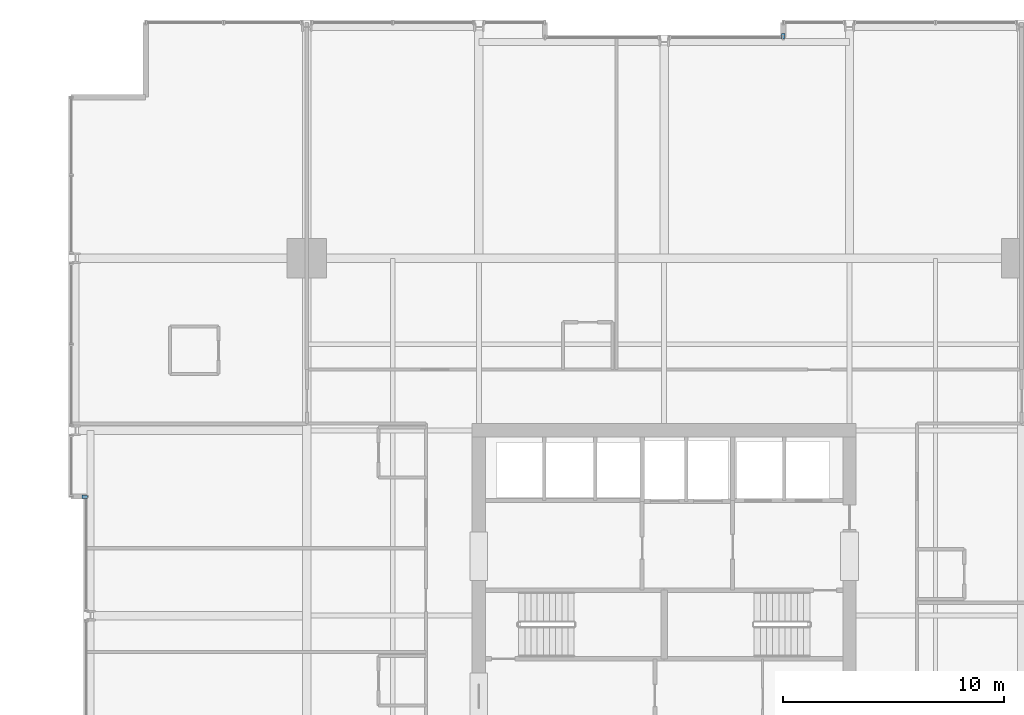
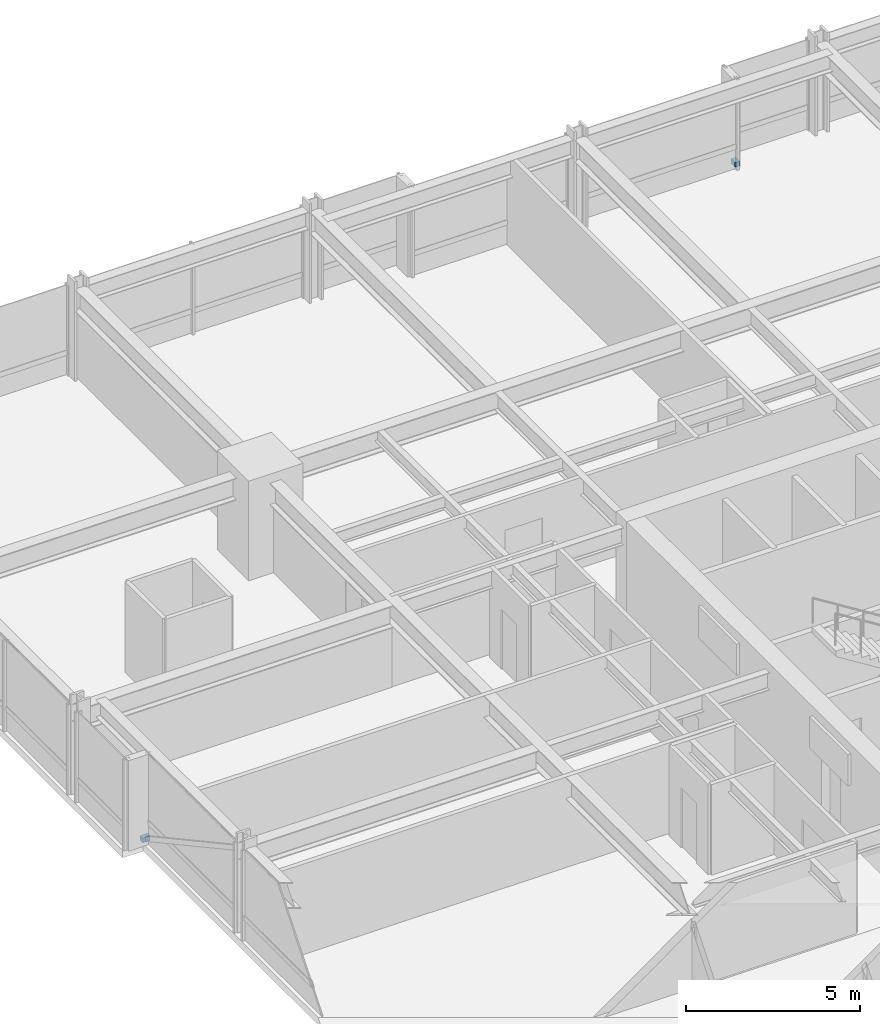
# One storey, part 34 of 37: 2 discrete accessories.
"""IFC4 building model written with IfcOpenShell, lengths in metres."""

import ifcopenshell
import ifcopenshell.guid

model = None  # the IFC model being written
_history = None  # IfcOwnerHistory: only IFC2X3 demands one
_inside = {}  # id of a spatial element -> (the spatial element, [elements in it])
_under = {}  # id of a project, library or spatial element -> (it, [spatial elements below it])
_declared = {}  # id of a project -> (the project, [libraries it declares])
_typed = {}  # id of a type object -> (the type object, [elements of that type])
_made_of = {}  # id of a material, layer set ... -> (it, [elements and type objects made of it])


def new_model(schema):
    """Start an empty IFC model of exactly this schema.

    Asked for "IFC4X3", IfcOpenShell would pick the latest addendum, in which some entities
    have other attributes; the version numbers below select the first issue.
    IFC2X3 requires an IfcOwnerHistory on every rooted entity: one is made here for all.
    """
    global model, _history
    if schema == "IFC4X3":
        model = ifcopenshell.file(schema_version=(4, 3, 0, 0))
    else:
        model = ifcopenshell.file(schema=schema)
    _inside.clear()
    _under.clear()
    _declared.clear()
    _typed.clear()
    _made_of.clear()
    _history = None
    if model.schema == "IFC2X3":
        org = make("IfcOrganization", Name="unknown")
        user = make(
            "IfcPersonAndOrganization",
            ThePerson=make("IfcPerson", FamilyName="unknown"),
            TheOrganization=org,
        )
        app = make(
            "IfcApplication",
            ApplicationDeveloper=org,
            Version="unknown",
            ApplicationFullName="unknown",
            ApplicationIdentifier="unknown",
        )
        _history = make(
            "IfcOwnerHistory",
            OwningUser=user,
            OwningApplication=app,
            ChangeAction="ADDED",
            CreationDate=0,
        )
    return model


def make(cls, **values):
    """One entity of the class cls with the attributes given. An attribute that is None is left unset."""
    return model.create_entity(
        cls, **{name: value for name, value in values.items() if value is not None}
    )


def rooted(cls, **values):
    """An entity with a GlobalId (a new one), such as an element, a storey or a relation."""
    return make(cls, GlobalId=ifcopenshell.guid.new(), OwnerHistory=_history, **values)


def si_unit(unit_type, name, prefix=None):
    """IfcSIUnit, for example si_unit("LENGTHUNIT", "METRE", prefix="MILLI")."""
    return make("IfcSIUnit", UnitType=unit_type, Prefix=prefix, Name=name)


def assignment(units):
    """IfcUnitAssignment: the units of a project."""
    return None if units is None else make("IfcUnitAssignment", Units=units)


def point(xyz):
    """IfcCartesianPoint."""
    return None if xyz is None else make("IfcCartesianPoint", Coordinates=xyz)


def direction(xyz):
    """IfcDirection."""
    return None if xyz is None else make("IfcDirection", DirectionRatios=xyz)


def frame(location, z_axis=None, x_axis=None):
    """IfcAxis2Placement3D, a coordinate frame: its origin and axes. An axis left out is left unset."""
    return make(
        "IfcAxis2Placement3D",
        Location=point(location),
        Axis=direction(z_axis),
        RefDirection=direction(x_axis),
    )


def frame_2d(location, x_axis=None):
    """IfcAxis2Placement2D, a coordinate frame in the plane: its origin and x axis."""
    return make(
        "IfcAxis2Placement2D", Location=point(location), RefDirection=direction(x_axis)
    )


def origin():
    """The frame at (0, 0, 0) with its axes left unset."""
    return frame((0.0, 0.0, 0.0))


def origin_2d():
    """The frame at (0, 0) in the plane with its x axis left unset."""
    return frame_2d((0.0, 0.0))


def place(relative_to, where):
    """IfcLocalPlacement: puts the frame where relative to a parent placement (None: the world)."""
    return make(
        "IfcLocalPlacement", PlacementRelTo=relative_to, RelativePlacement=where
    )


def context(
    kind, dimensions, precision=None, world=None, true_north=None, identifier=None
):
    """IfcGeometricRepresentationContext, for example the 3D "Model" context."""
    return make(
        "IfcGeometricRepresentationContext",
        ContextIdentifier=identifier,
        ContextType=kind,
        CoordinateSpaceDimension=dimensions,
        Precision=precision,
        WorldCoordinateSystem=world,
        TrueNorth=true_north,
    )


def subcontext(parent, identifier, kind, view, scale=None):
    """IfcGeometricRepresentationSubContext, for example "Body" below "Model"."""
    return make(
        "IfcGeometricRepresentationSubContext",
        ContextIdentifier=identifier,
        ContextType=kind,
        ParentContext=parent,
        TargetScale=scale,
        TargetView=view,
    )


def project(units=None, contexts=None):
    """IfcProject with its units and contexts."""
    return rooted(
        "IfcProject",
        Name="project",
        RepresentationContexts=contexts,
        UnitsInContext=assignment(units),
    )


def spatial(cls, under=None, at=None, **own):
    """A site, building, storey or space (cls), placed at a placement, below another one or the project."""
    s = rooted(cls, ObjectPlacement=at, **own)
    if under is not None:
        _under.setdefault(under.id(), (under, []))[1].append(s)
    return s


def profile(cls, at=None, kind="AREA", **sizes):
    """A parametric profile (cls). Its sizes go by their IFC names, for example OverallWidth=200.0."""
    return make(cls, ProfileType=kind, Position=at, **sizes)


def rectangle(**sizes):
    """IfcRectangleProfileDef."""
    return profile("IfcRectangleProfileDef", **sizes)


def extrude(swept, where, along, depth):
    """IfcExtrudedAreaSolid: the profile swept, set in the frame where, extruded along a direction by depth."""
    return make(
        "IfcExtrudedAreaSolid",
        SweptArea=swept,
        Position=where,
        ExtrudedDirection=direction(along),
        Depth=depth,
    )


def shape(context_of_items, identifier, shape_type, items):
    """IfcShapeRepresentation: the items that make up one representation, for example the "Body"."""
    return make(
        "IfcShapeRepresentation",
        ContextOfItems=context_of_items,
        RepresentationIdentifier=identifier,
        RepresentationType=shape_type,
        Items=items,
    )


def material(Name=None, Category=None):
    """IfcMaterial."""
    return make("IfcMaterial", Name=Name, Category=Category)


def made_of(thing, what):
    """Note that an element or type object is made of a material, layer set ...; save() writes the relation."""
    if what is not None:
        _made_of.setdefault(what.id(), (what, []))[1].append(thing)
    return thing


def type_object(cls, material=None, **own):
    """A type object (cls), such as IfcWallType, which elements share."""
    return made_of(rooted(cls, **own), material)


def element(
    cls,
    number,
    at=None,
    inside=None,
    cuts=None,
    type_object=None,
    material=None,
    context=None,
    identifier="Body",
    shape_type=None,
    held_by="IfcProductDefinitionShape",
    body=None,
    shapes=None,
    **own,
):
    """One element of the class cls, such as IfcWall. Its Tag is "e" and its number.

    at: its placement. inside: the storey or other place that contains it. cuts: it is an
    opening in that element (IfcRelVoidsElement). A single representation is given by context,
    identifier, shape_type and body (its items); several are given by shapes. held_by: the class
    of the entity that holds the representations. save() writes the other relations.
    """
    e = rooted(cls, Tag="e%d" % number, ObjectPlacement=at, **own)
    if body is not None:
        shapes = [shape(context, identifier, shape_type, body)]
    if shapes is not None:
        e.Representation = make(held_by, Representations=shapes)
    if inside is not None:
        _inside.setdefault(inside.id(), (inside, []))[1].append(e)
    if cuts is not None:
        rooted(
            "IfcRelVoidsElement", RelatingBuildingElement=cuts, RelatedOpeningElement=e
        )
    if type_object is not None:
        _typed.setdefault(type_object.id(), (type_object, []))[1].append(e)
    return made_of(e, material)


def aggregate(whole, parts):
    """IfcRelAggregates: a whole, such as a stair, and the parts it consists of."""
    return rooted("IfcRelAggregates", RelatingObject=whole, RelatedObjects=parts)


def save(model, path):
    """Write the relations noted so far, then the file.

    IfcRelAggregates (storeys below a building ...), IfcRelContainedInSpatialStructure (elements
    in a storey), IfcRelDefinesByType, IfcRelAssociatesMaterial and IfcRelDeclares: one each for
    every whole, place, type object, material and project.
    """
    for whole, parts in _under.values():
        aggregate(whole, parts)
    for where, things in _inside.values():
        rooted(
            "IfcRelContainedInSpatialStructure",
            RelatedElements=things,
            RelatingStructure=where,
        )
    for kind, things in _typed.values():
        rooted("IfcRelDefinesByType", RelatedObjects=things, RelatingType=kind)
    for what, things in _made_of.values():
        rooted("IfcRelAssociatesMaterial", RelatedObjects=things, RelatingMaterial=what)
    for by, libraries in _declared.values():
        rooted("IfcRelDeclares", RelatingContext=by, RelatedDefinitions=libraries)
    model.write(path)


model = new_model("IFC4")

# Units and contexts
model_context = context("Model", 3, precision=1e-05, world=origin(), true_north=direction((0.0, 1.0)))
body_context = subcontext(model_context, "Body", "Model", "MODEL_VIEW")
ifc_project = project(units=[si_unit("LENGTHUNIT", "METRE"), si_unit("AREAUNIT", "SQUARE_METRE"), si_unit("VOLUMEUNIT", "CUBIC_METRE"), si_unit("PLANEANGLEUNIT", "RADIAN"), si_unit("MASSUNIT", "GRAM", prefix="KILO")], contexts=[model_context])

# Site, building, storey
site_placement = place(None, origin())
site = spatial("IfcSite", under=ifc_project, at=site_placement, CompositionType="ELEMENT")
building_placement = place(site_placement, origin())
building = spatial("IfcBuilding", under=site, at=building_placement, Name="Drelvath Grand Hotel", CompositionType="ELEMENT")
storey_placement = place(building_placement, frame((0.0, 0.0, 78.699951171875)))
storey = spatial("IfcBuildingStorey", under=building, at=storey_placement, Name="L19", CompositionType="ELEMENT", Elevation=78.699951171875)

# Discrete accessories
ifc_material = material(Name="Stainless Steel Grade 316", Category="steel")
discrete_accessory_type = type_object("IfcDiscreteAccessoryType", Name="Curtain Wall Fin Mounting Bracket Cleat", PredefinedType="BRACKET", material=ifc_material)
for number, where, z_axis, x_axis, name in (
    (1, (-26.260009765625, 32.39990234375, 0.10009765625), (0.0, 0.0, 1.0), (0.0, 1.0, 0.0), "L19 Fin Mounting Bracket CW02-L19-WM2-1"),
    (2, (5.39990234375, 53.260009765625, 0.10009765625), (0.0, 0.0, 1.0), (1.0, 0.0, 0.0), "L19 Fin Mounting Bracket CW02-L19-NM2-1"),
):
    element("IfcDiscreteAccessory", number, at=place(storey_placement, frame(where, z_axis=z_axis, x_axis=x_axis)), inside=storey, type_object=discrete_accessory_type, Name=name, PredefinedType="BRACKET", context=body_context, shape_type="SweptSolid", body=[
        extrude(rectangle(XDim=0.159912109375, YDim=0.239990234375, at=origin_2d()), origin(), (0.0, 0.0, 1.0), 0.159912109375),
    ])

save(model, "model.ifc")
